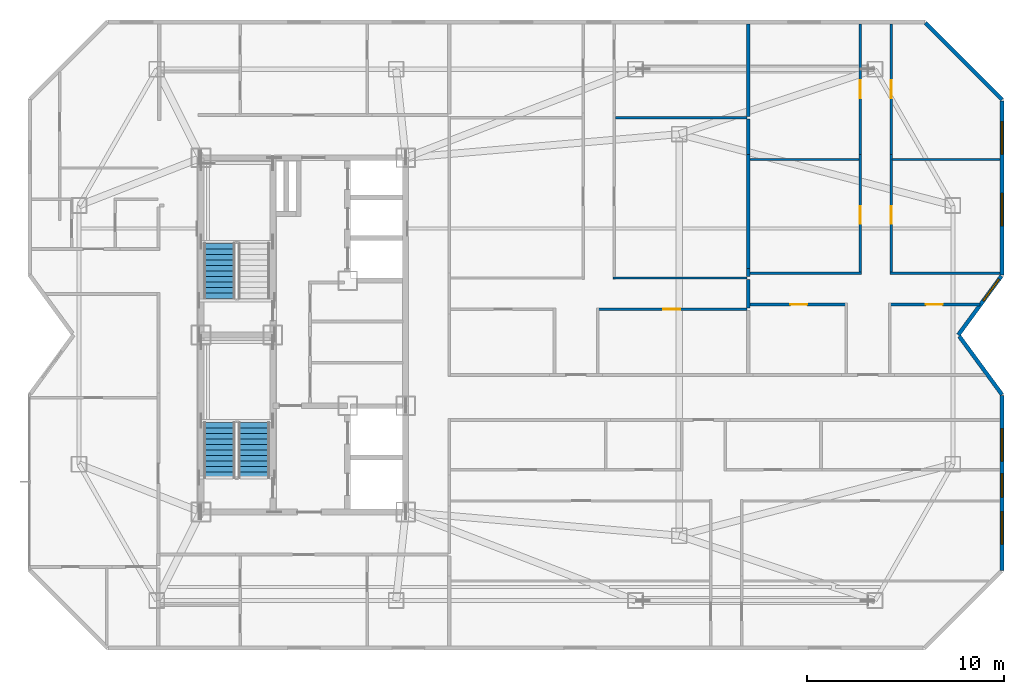
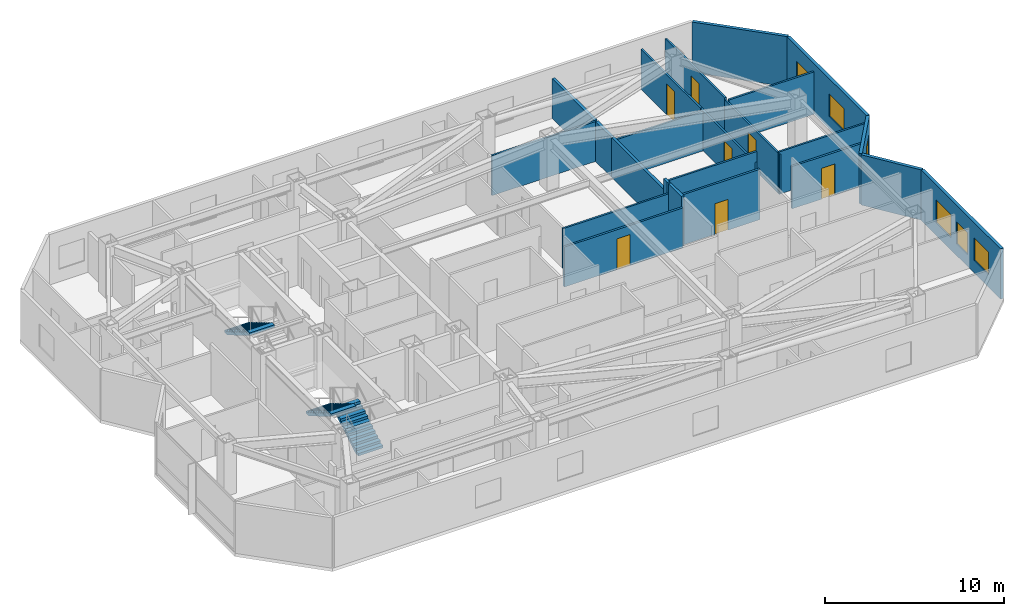
# One storey, part 12 of 14: 23 walls, 7 doors, 6 windows, 3 stair flights, 13 openings, 2 elements without a shape of their own.
"""IFC4 building model written with IfcOpenShell, lengths in metres."""

from ifc_helpers import new_model, si_unit, direction, frame, frame_2d, origin, place, context, subcontext, project, spatial, polyline, rectangle, outline, extrude, material, layer, layer_set, type_object, element, fill, aggregate, save


model = new_model("IFC4")

# Units and contexts
model_context = context("Model", 3, precision=1e-05, world=origin(), true_north=direction((0.0, 1.0)))
body_context = subcontext(model_context, "Body", "Model", "MODEL_VIEW")
ifc_project = project(units=[si_unit("LENGTHUNIT", "METRE"), si_unit("AREAUNIT", "SQUARE_METRE"), si_unit("VOLUMEUNIT", "CUBIC_METRE"), si_unit("PLANEANGLEUNIT", "RADIAN"), si_unit("MASSUNIT", "GRAM", prefix="KILO")], contexts=[model_context])

# Site, building, storey
site_placement = place(None, origin())
site = spatial("IfcSite", under=ifc_project, at=site_placement, CompositionType="ELEMENT")
building_placement = place(site_placement, origin())
building = spatial("IfcBuilding", under=site, at=building_placement, Name="Khamvora Tower", CompositionType="ELEMENT")
storey_placement = place(building_placement, frame((0.0, 0.0, 231.800048828125)))
storey = spatial("IfcBuildingStorey", under=building, at=storey_placement, Name="L59", CompositionType="ELEMENT", Elevation=231.800048828125)

# Walls
ifc_material_1 = material(Name="Acoustic Double-Stud Fire Wall", Category="gypsum")
ifc_layer_1 = layer(ifc_material_1, 0.179931640625)
ifc_layer_set_1 = layer_set([ifc_layer_1], Name="Acoustic Double-Stud Fire Wall")
wall_type_1 = type_object("IfcWallType", Name="WAL-CORR-180", PredefinedType="STANDARD", material=ifc_layer_set_1)
wall_1_placement = place(storey_placement, frame((56.804931640625, 30.824951171875, 0.0), z_axis=(0.0, 0.0, 1.0), x_axis=(0.0, -1.0, 0.0)))
element("IfcWall", 1, at=wall_1_placement, inside=storey, type_object=wall_type_1, Name="L59 interior partition wall 089", PredefinedType="STANDARD", context=body_context, shape_type="SweptSolid", body=[
    extrude(rectangle(XDim=1.449951171875, YDim=0.179931640625, at=frame_2d((0.72509765625, 0.0))), origin(), (0.0, 0.0, 1.0), 3.429931640625),
])
wall_2_placement = place(storey_placement, frame((56.804931640625, 31.3740234375, 0.0), z_axis=(0.0, 0.0, 1.0), x_axis=(0.0, -1.0, 0.0)))
element("IfcWall", 2, at=wall_2_placement, inside=storey, type_object=wall_type_1, Name="L59 interior partition wall 093", PredefinedType="STANDARD", context=body_context, shape_type="SweptSolid", body=[
    extrude(rectangle(XDim=0.4189453125, YDim=0.179931640625, at=frame_2d((0.20947265625, 0.0))), origin(), (0.0, 0.0, 1.0), 3.429931640625),
])
wall_3_placement = place(storey_placement, frame((56.804931640625, 37.159912109375, 0.0), z_axis=(0.0, 0.0, 1.0), x_axis=(0.0, -1.0, 0.0)))
element("IfcWall", 3, at=wall_3_placement, inside=storey, type_object=wall_type_1, Name="L59 interior partition wall 094", PredefinedType="STANDARD", context=body_context, shape_type="SweptSolid", body=[
    extrude(rectangle(XDim=5.785888671875, YDim=0.179931640625, at=frame_2d((2.89306640625, 0.0))), origin(), (0.0, 0.0, 1.0), 2.724853515625),
])
wall_4_placement = place(storey_placement, frame((56.804931640625, 38.9619140625, 0.0), z_axis=(0.0, 0.0, 1.0), x_axis=(0.0, -1.0, 0.0)))
element("IfcWall", 4, at=wall_4_placement, inside=storey, type_object=wall_type_1, Name="L59 interior partition wall 095", PredefinedType="STANDARD", context=body_context, shape_type="SweptSolid", body=[
    extrude(rectangle(XDim=1.802001953125, YDim=0.179931640625, at=frame_2d((0.90087890625, 0.0))), origin(), (0.0, 0.0, 1.0), 2.724853515625),
])
wall_5_placement = place(storey_placement, frame((56.804931640625, 43.80810546875, 0.0), z_axis=(0.0, 0.0, 1.0), x_axis=(0.0, -1.0, 0.0)))
element("IfcWall", 5, at=wall_5_placement, inside=storey, type_object=wall_type_1, Name="L59 interior partition wall 096", PredefinedType="STANDARD", context=body_context, shape_type="SweptSolid", body=[
    extrude(rectangle(XDim=4.716064453125, YDim=0.179931640625, at=frame_2d((2.35791015625, 0.0))), origin(), (0.0, 0.0, 1.0), 2.724853515625),
])
ifc_material_2 = material(Name="Precast concrete C40/50", Category="concrete")
ifc_layer_2 = layer(ifc_material_2, 0.199951171875)
ifc_layer_set_2 = layer_set([ifc_layer_2], Name="Precast concrete C40/50")
wall_type_2 = type_object("IfcWallType", Name="WAL-EXT-200", PredefinedType="STANDARD", material=ifc_layer_set_2)
wall_6_placement = place(storey_placement, frame((65.802001953125, 43.85693359375, 0.0), z_axis=(0.0, 0.0, 1.0), x_axis=(0.707106781187, -0.707106781187, 0.0)))
element("IfcWall", 6, at=wall_6_placement, inside=storey, type_object=wall_type_2, Name="L59 exterior facade wall 08.1", PredefinedType="STANDARD", context=body_context, shape_type="SweptSolid", body=[
    extrude(rectangle(XDim=5.512451171875, YDim=0.199951171875, at=frame_2d((2.75634765625, 0.0))), origin(), (0.0, 0.0, 1.0), 3.429931640625),
])

# Wall, openings, windows
wall_7_placement = place(storey_placement, frame((69.699951171875, 39.89599609375, 0.0), z_axis=(0.0, 0.0, 1.0), x_axis=(0.0, -1.0, 0.0)))
wall_7 = element("IfcWall", 7, at=wall_7_placement, inside=storey, type_object=wall_type_2, Name="L59 exterior facade wall 09.1", PredefinedType="STANDARD", context=body_context, shape_type="SweptSolid", body=[
    extrude(rectangle(XDim=8.863037109375, YDim=0.199951171875, at=frame_2d((4.431640625, 0.0))), origin(), (0.0, 0.0, 1.0), 3.429931640625),
])
opening_1_placement = place(wall_7_placement, frame((4.70703125, 0.0, 0.85009765625)))
opening_1 = element("IfcOpeningElement", 8, at=opening_1_placement, cuts=wall_7, Name="Opening WN-06", PredefinedType="OPENING", context=body_context, shape_type="SweptSolid", body=[
    extrude(rectangle(XDim=1.64990234375, YDim=1.550048828125, at=frame_2d((0.824951171875, 0.77490234375))), frame((0.0, 0.10986328125, 0.0), z_axis=(0.0, -1.0, 0.0), x_axis=(1.0, 0.0, 0.0)), (0.0, 0.0, 1.0), 0.219970703125),
])
opening_2_placement = place(wall_7_placement, frame((1.06005859375, 0.0, 0.85009765625)))
opening_2 = element("IfcOpeningElement", 9, at=opening_2_placement, cuts=wall_7, Name="Opening WN-06", PredefinedType="OPENING", context=body_context, shape_type="SweptSolid", body=[
    extrude(rectangle(XDim=1.64990234375, YDim=1.550048828125, at=frame_2d((0.824951171875, 0.77490234375))), frame((0.0, 0.10986328125, 0.0), z_axis=(0.0, -1.0, 0.0), x_axis=(1.0, 0.0, 0.0)), (0.0, 0.0, 1.0), 0.219970703125),
])
ifc_material_3 = material(Name="Low-E Laminated Double Glazing", Category="glass")
window_type_1 = type_object("IfcWindowType", Name="WIN-VIS-1650x1550", PartitioningType="SINGLE_PANEL", PredefinedType="WINDOW", material=ifc_material_3)
window_1_placement = place(opening_1_placement, origin())
window_1 = element("IfcWindow", 10, at=window_1_placement, inside=storey, type_object=window_type_1, Name="L59 vision window 09.1.01", OverallHeight=1.550048828125, OverallWidth=1.64990234375, PartitioningType="SINGLE_PANEL", PredefinedType="WINDOW", context=body_context, shape_type="SweptSolid", body=[
    extrude(rectangle(XDim=1.64990234375, YDim=1.550048828125, at=frame_2d((0.824951171875, 0.77490234375))), frame((0.0, 0.030029296875, 0.0), z_axis=(0.0, -1.0, 0.0), x_axis=(1.0, 0.0, 0.0)), (0.0, 0.0, 1.0), 0.06005859375),
])
fill(opening_1, window_1)
window_2_placement = place(opening_2_placement, origin())
window_2 = element("IfcWindow", 11, at=window_2_placement, inside=storey, type_object=window_type_1, Name="L59 vision window 09.1.02", OverallHeight=1.550048828125, OverallWidth=1.64990234375, PartitioningType="SINGLE_PANEL", PredefinedType="WINDOW", context=body_context, shape_type="SweptSolid", body=[
    extrude(rectangle(XDim=1.64990234375, YDim=1.550048828125, at=frame_2d((0.824951171875, 0.77490234375))), frame((0.0, 0.030029296875, 0.0), z_axis=(0.0, -1.0, 0.0), x_axis=(1.0, 0.0, 0.0)), (0.0, 0.0, 1.0), 0.06005859375),
])
fill(opening_2, window_2)

# Wall, opening, window
wall_8_placement = place(storey_placement, frame((69.669921875, 30.991943359375, 0.0), z_axis=(0.0, 0.0, 1.0), x_axis=(-0.591320870733, -0.806436375566, 0.0)))
wall_8 = element("IfcWall", 12, at=wall_8_placement, inside=storey, type_object=wall_type_2, Name="L59 exterior facade wall 10.1", PredefinedType="STANDARD", context=body_context, shape_type="SweptSolid", body=[
    extrude(rectangle(XDim=3.7099609375, YDim=0.199951171875, at=frame_2d((1.85498046875, 0.0))), origin(), (0.0, 0.0, 1.0), 3.429931640625),
])
opening_3_placement = place(wall_8_placement, frame((0.208984375, 0.0, 0.85009765625)))
opening_3 = element("IfcOpeningElement", 13, at=opening_3_placement, cuts=wall_8, Name="Opening WN-07", PredefinedType="OPENING", context=body_context, shape_type="SweptSolid", body=[
    extrude(rectangle(XDim=1.35009765625, YDim=1.5, at=frame_2d((0.675048828125, 0.75))), frame((0.0, 0.10986328125, 0.0), z_axis=(0.0, -1.0, 0.0), x_axis=(1.0, 0.0, 0.0)), (0.0, 0.0, 1.0), 0.219970703125),
])
window_type_2 = type_object("IfcWindowType", Name="WIN-VIS-1350x1500", PartitioningType="SINGLE_PANEL", PredefinedType="WINDOW", material=ifc_material_3)
window_3_placement = place(opening_3_placement, origin())
window_3 = element("IfcWindow", 14, at=window_3_placement, inside=storey, type_object=window_type_2, Name="L59 vision window 10.1.01", OverallHeight=1.5, OverallWidth=1.35009765625, PartitioningType="SINGLE_PANEL", PredefinedType="WINDOW", context=body_context, shape_type="SweptSolid", body=[
    extrude(rectangle(XDim=1.35009765625, YDim=1.5, at=frame_2d((0.675048828125, 0.75))), frame((0.0, 0.030029296875, 0.0), z_axis=(0.0, -1.0, 0.0), x_axis=(1.0, 0.0, 0.0)), (0.0, 0.0, 1.0), 0.06005859375),
])
fill(opening_3, window_3)

# Wall
wall_9_placement = place(storey_placement, frame((67.527099609375, 27.930908203125, 0.0), z_axis=(0.0, 0.0, 1.0), x_axis=(0.591248456881, -0.80648946815, 0.0)))
element("IfcWall", 15, at=wall_9_placement, inside=storey, type_object=wall_type_2, Name="L59 exterior facade wall 11.1", PredefinedType="STANDARD", context=body_context, shape_type="SweptSolid", body=[
    extrude(rectangle(XDim=3.675048828125, YDim=0.199951171875, at=frame_2d((1.83740234375, 0.0))), origin(), (0.0, 0.0, 1.0), 3.429931640625),
])

# Wall, openings, windows
wall_10_placement = place(storey_placement, frame((69.699951171875, 24.916015625, 0.0), z_axis=(0.0, 0.0, 1.0), x_axis=(0.0, -1.0, 0.0)))
wall_10 = element("IfcWall", 16, at=wall_10_placement, inside=storey, type_object=wall_type_2, Name="L59 exterior facade wall 12.1", PredefinedType="STANDARD", context=body_context, shape_type="SweptSolid", body=[
    extrude(rectangle(XDim=8.875, YDim=0.199951171875, at=frame_2d((4.4375, 0.0))), origin(), (0.0, 0.0, 1.0), 3.429931640625),
])
opening_4_placement = place(wall_10_placement, frame((1.677001953125, 0.0, 0.85009765625)))
opening_4 = element("IfcOpeningElement", 17, at=opening_4_placement, cuts=wall_10, Name="Opening WN-06", PredefinedType="OPENING", context=body_context, shape_type="SweptSolid", body=[
    extrude(rectangle(XDim=1.64990234375, YDim=1.550048828125, at=frame_2d((0.824951171875, 0.77490234375))), frame((0.0, 0.10986328125, 0.0), z_axis=(0.0, -1.0, 0.0), x_axis=(1.0, 0.0, 0.0)), (0.0, 0.0, 1.0), 0.219970703125),
])
opening_5_placement = place(wall_10_placement, frame((3.962890625, 0.0, 0.800048828125)))
opening_5 = element("IfcOpeningElement", 18, at=opening_5_placement, cuts=wall_10, Name="Opening WN-03", PredefinedType="OPENING", context=body_context, shape_type="SweptSolid", body=[
    extrude(rectangle(XDim=1.199951171875, YDim=1.5, at=frame_2d((0.60009765625, 0.75))), frame((0.0, 0.10986328125, 0.0), z_axis=(0.0, -1.0, 0.0), x_axis=(1.0, 0.0, 0.0)), (0.0, 0.0, 1.0), 0.219970703125),
])
opening_6_placement = place(wall_10_placement, frame((5.89697265625, 0.0, 0.85009765625)))
opening_6 = element("IfcOpeningElement", 19, at=opening_6_placement, cuts=wall_10, Name="Opening WN-06", PredefinedType="OPENING", context=body_context, shape_type="SweptSolid", body=[
    extrude(rectangle(XDim=1.64990234375, YDim=1.550048828125, at=frame_2d((0.824951171875, 0.77490234375))), frame((0.0, 0.10986328125, 0.0), z_axis=(0.0, -1.0, 0.0), x_axis=(1.0, 0.0, 0.0)), (0.0, 0.0, 1.0), 0.219970703125),
])
window_type_3 = type_object("IfcWindowType", Name="WIN-VIS-1200x1500", PartitioningType="SINGLE_PANEL", PredefinedType="WINDOW", material=ifc_material_3)
window_4_placement = place(opening_5_placement, origin())
window_4 = element("IfcWindow", 20, at=window_4_placement, inside=storey, type_object=window_type_3, Name="L59 vision window 12.1.02", OverallHeight=1.5, OverallWidth=1.199951171875, PartitioningType="SINGLE_PANEL", PredefinedType="WINDOW", context=body_context, shape_type="SweptSolid", body=[
    extrude(rectangle(XDim=1.199951171875, YDim=1.5, at=frame_2d((0.60009765625, 0.75))), frame((0.0, 0.030029296875, 0.0), z_axis=(0.0, -1.0, 0.0), x_axis=(1.0, 0.0, 0.0)), (0.0, 0.0, 1.0), 0.06005859375),
])
fill(opening_5, window_4)
window_5_placement = place(opening_4_placement, origin())
window_5 = element("IfcWindow", 21, at=window_5_placement, inside=storey, type_object=window_type_1, Name="L59 vision window 12.1.01", OverallHeight=1.550048828125, OverallWidth=1.64990234375, PartitioningType="SINGLE_PANEL", PredefinedType="WINDOW", context=body_context, shape_type="SweptSolid", body=[
    extrude(rectangle(XDim=1.64990234375, YDim=1.550048828125, at=frame_2d((0.824951171875, 0.77490234375))), frame((0.0, 0.030029296875, 0.0), z_axis=(0.0, -1.0, 0.0), x_axis=(1.0, 0.0, 0.0)), (0.0, 0.0, 1.0), 0.06005859375),
])
fill(opening_4, window_5)
window_6_placement = place(opening_6_placement, origin())
window_6 = element("IfcWindow", 22, at=window_6_placement, inside=storey, type_object=window_type_1, Name="L59 vision window 12.1.03", OverallHeight=1.550048828125, OverallWidth=1.64990234375, PartitioningType="SINGLE_PANEL", PredefinedType="WINDOW", context=body_context, shape_type="SweptSolid", body=[
    extrude(rectangle(XDim=1.64990234375, YDim=1.550048828125, at=frame_2d((0.824951171875, 0.77490234375))), frame((0.0, 0.030029296875, 0.0), z_axis=(0.0, -1.0, 0.0), x_axis=(1.0, 0.0, 0.0)), (0.0, 0.0, 1.0), 0.06005859375),
])
fill(opening_6, window_6)

# Walls
ifc_material_4 = material(Name="Gypsum Plasterboard Partition", Category="gypsum")
ifc_layer_3 = layer(ifc_material_4, 0.1201171875)
ifc_layer_set_3 = layer_set([ifc_layer_3], Name="Gypsum Plasterboard Partition")
wall_type_3 = type_object("IfcWallType", Name="WAL-PART-120", PredefinedType="PARTITIONING", material=ifc_layer_set_3)
wall_11_placement = place(storey_placement, frame((49.929931640625, 30.889892578125, 0.0), z_axis=(0.0, 0.0, 1.0), x_axis=(1.0, 0.0, 0.0)))
element("IfcWall", 23, at=wall_11_placement, inside=storey, type_object=wall_type_3, Name="L59 interior partition wall 087", PredefinedType="PARTITIONING", context=body_context, shape_type="SweptSolid", body=[
    extrude(rectangle(XDim=6.81005859375, YDim=0.1201171875, at=frame_2d((3.405029296875, 0.0))), origin(), (0.0, 0.0, 1.0), 2.724853515625),
])
wall_12_placement = place(storey_placement, frame((50.049072265625, 39.027099609375, 0.0), z_axis=(0.0, 0.0, 1.0), x_axis=(1.0, 0.0, 0.0)))
element("IfcWall", 24, at=wall_12_placement, inside=storey, type_object=wall_type_3, Name="L59 interior partition wall 092", PredefinedType="PARTITIONING", context=body_context, shape_type="SweptSolid", body=[
    extrude(rectangle(XDim=6.69091796875, YDim=0.1201171875, at=frame_2d((3.345458984375, 0.0))), origin(), (0.0, 0.0, 1.0), 2.724853515625),
])
wall_13_placement = place(storey_placement, frame((56.886962890625, 31.125, 0.0), z_axis=(0.0, 0.0, 1.0), x_axis=(1.0, 0.0, 0.0)))
element("IfcWall", 25, at=wall_13_placement, inside=storey, type_object=wall_type_3, Name="L59 interior partition wall 101", PredefinedType="PARTITIONING", context=body_context, shape_type="SweptSolid", body=[
    extrude(rectangle(XDim=5.673095703125, YDim=0.1201171875, at=frame_2d((2.83642578125, 0.0))), origin(), (0.0, 0.0, 1.0), 3.429931640625),
])

# Wall, opening, door
wall_14_placement = place(storey_placement, frame((62.4951171875, 31.06005859375, 0.0), z_axis=(0.0, 0.0, 1.0), x_axis=(0.0, 1.0, 0.0)))
wall_14 = element("IfcWall", 26, at=wall_14_placement, inside=storey, type_object=wall_type_3, Name="L59 interior partition wall 102", PredefinedType="PARTITIONING", context=body_context, shape_type="SweptSolid", body=[
    extrude(rectangle(XDim=6.099853515625, YDim=0.1201171875, at=frame_2d((3.0498046875, 0.0))), origin(), (0.0, 0.0, 1.0), 2.724853515625),
])
opening_7_placement = place(wall_14_placement, frame((2.5791015625, 0.0, 0.0)))
opening_7 = element("IfcOpeningElement", 27, at=opening_7_placement, cuts=wall_14, Name="Opening D-RM1", PredefinedType="OPENING", context=body_context, shape_type="SweptSolid", body=[
    extrude(rectangle(XDim=0.89990234375, YDim=2.10009765625, at=frame_2d((0.449951171875, 1.050048828125))), frame((0.0, 0.070068359375, 0.0), z_axis=(0.0, -1.0, 0.0), x_axis=(1.0, 0.0, 0.0)), (0.0, 0.0, 1.0), 0.14013671875),
])
ifc_material_5 = material(Name="Powder-Coated Steel and Hardwood Leaf", Category="steel")
door_type_1 = type_object("IfcDoorType", Name="DOR-ROOM-900", OperationType="NOTDEFINED", PredefinedType="DOOR", material=ifc_material_5)
door_1_placement = place(opening_7_placement, origin())
door_1 = element("IfcDoor", 28, at=door_1_placement, inside=storey, type_object=door_type_1, Name="L59 interior door 59EB2H-59EB2L", OperationType="SINGLE_SWING_LEFT", OverallHeight=2.10009765625, OverallWidth=0.89990234375, PredefinedType="DOOR", context=body_context, shape_type="SweptSolid", body=[
    extrude(rectangle(XDim=0.89990234375, YDim=2.10009765625, at=frame_2d((0.449951171875, 1.050048828125))), frame((0.0, 0.02490234375, 0.0), z_axis=(0.0, -1.0, 0.0), x_axis=(1.0, 0.0, 0.0)), (0.0, 0.0, 1.0), 0.050048828125),
])
fill(opening_7, door_1)

wall_15_placement = place(storey_placement, frame((62.4951171875, 37.159912109375, 0.0), z_axis=(0.0, 0.0, 1.0), x_axis=(0.0, 1.0, 0.0)))
wall_15 = element("IfcWall", 29, at=wall_15_placement, inside=storey, type_object=wall_type_3, Name="L59 interior partition wall 103", PredefinedType="PARTITIONING", context=body_context, shape_type="SweptSolid", body=[
    extrude(rectangle(XDim=6.648193359375, YDim=0.1201171875, at=frame_2d((3.32421875, 0.0))), origin(), (0.0, 0.0, 1.0), 2.724853515625),
])
opening_8_placement = place(wall_15_placement, frame((2.8740234375, 0.0, 0.0)))
opening_8 = element("IfcOpeningElement", 30, at=opening_8_placement, cuts=wall_15, Name="Opening D-RM1", PredefinedType="OPENING", context=body_context, shape_type="SweptSolid", body=[
    extrude(rectangle(XDim=0.89990234375, YDim=2.10009765625, at=frame_2d((0.449951171875, 1.050048828125))), frame((0.0, 0.070068359375, 0.0), z_axis=(0.0, -1.0, 0.0), x_axis=(1.0, 0.0, 0.0)), (0.0, 0.0, 1.0), 0.14013671875),
])
door_2_placement = place(opening_8_placement, origin())
door_2 = element("IfcDoor", 31, at=door_2_placement, inside=storey, type_object=door_type_1, Name="L59 interior door 59EB2H-59EB2R2", OperationType="SINGLE_SWING_LEFT", OverallHeight=2.10009765625, OverallWidth=0.89990234375, PredefinedType="DOOR", context=body_context, shape_type="SweptSolid", body=[
    extrude(rectangle(XDim=0.89990234375, YDim=2.10009765625, at=frame_2d((0.449951171875, 1.050048828125))), frame((0.0, 0.02490234375, 0.0), z_axis=(0.0, -1.0, 0.0), x_axis=(1.0, 0.0, 0.0)), (0.0, 0.0, 1.0), 0.050048828125),
])
fill(opening_8, door_2)

wall_16_placement = place(storey_placement, frame((64.06494140625, 37.159912109375, 0.0), z_axis=(0.0, 0.0, 1.0), x_axis=(0.0, -1.0, 0.0)))
wall_16 = element("IfcWall", 32, at=wall_16_placement, inside=storey, type_object=wall_type_3, Name="L59 interior partition wall 104", PredefinedType="PARTITIONING", context=body_context, shape_type="SweptSolid", body=[
    extrude(rectangle(XDim=6.099853515625, YDim=0.1201171875, at=frame_2d((3.0498046875, 0.0))), origin(), (0.0, 0.0, 1.0), 2.724853515625),
])
opening_9_placement = place(wall_16_placement, frame((2.62109375, 0.0, 0.0)))
opening_9 = element("IfcOpeningElement", 33, at=opening_9_placement, cuts=wall_16, Name="Opening D-RM1", PredefinedType="OPENING", context=body_context, shape_type="SweptSolid", body=[
    extrude(rectangle(XDim=0.89990234375, YDim=2.10009765625, at=frame_2d((0.449951171875, 1.050048828125))), frame((0.0, 0.070068359375, 0.0), z_axis=(0.0, -1.0, 0.0), x_axis=(1.0, 0.0, 0.0)), (0.0, 0.0, 1.0), 0.14013671875),
])
door_3_placement = place(opening_9_placement, origin())
door_3 = element("IfcDoor", 34, at=door_3_placement, inside=storey, type_object=door_type_1, Name="L59 interior door 59EB2H-59EB2R3", OperationType="SINGLE_SWING_LEFT", OverallHeight=2.10009765625, OverallWidth=0.89990234375, PredefinedType="DOOR", context=body_context, shape_type="SweptSolid", body=[
    extrude(rectangle(XDim=0.89990234375, YDim=2.10009765625, at=frame_2d((0.449951171875, 1.050048828125))), frame((0.0, 0.02490234375, 0.0), z_axis=(0.0, -1.0, 0.0), x_axis=(1.0, 0.0, 0.0)), (0.0, 0.0, 1.0), 0.050048828125),
])
fill(opening_9, door_3)

# Wall
wall_17_placement = place(storey_placement, frame((64.0, 31.125, 0.0), z_axis=(0.0, 0.0, 1.0), x_axis=(1.0, 0.0, 0.0)))
element("IfcWall", 35, at=wall_17_placement, inside=storey, type_object=wall_type_3, Name="L59 interior partition wall 105", PredefinedType="PARTITIONING", context=body_context, shape_type="SweptSolid", body=[
    extrude(rectangle(XDim=5.60791015625, YDim=0.1201171875, at=frame_2d((2.803955078125, 0.0))), origin(), (0.0, 0.0, 1.0), 2.886962890625),
])

# Wall, opening, door
wall_18_placement = place(storey_placement, frame((64.06494140625, 43.80810546875, 0.0), z_axis=(0.0, 0.0, 1.0), x_axis=(0.0, -1.0, 0.0)))
wall_18 = element("IfcWall", 36, at=wall_18_placement, inside=storey, type_object=wall_type_3, Name="L59 interior partition wall 106", PredefinedType="PARTITIONING", context=body_context, shape_type="SweptSolid", body=[
    extrude(rectangle(XDim=6.648193359375, YDim=0.1201171875, at=frame_2d((3.32421875, 0.0))), origin(), (0.0, 0.0, 1.0), 2.886962890625),
])
opening_10_placement = place(wall_18_placement, frame((2.8740234375, 0.0, 0.0)))
opening_10 = element("IfcOpeningElement", 37, at=opening_10_placement, cuts=wall_18, Name="Opening D-RM1", PredefinedType="OPENING", context=body_context, shape_type="SweptSolid", body=[
    extrude(rectangle(XDim=0.89990234375, YDim=2.10009765625, at=frame_2d((0.449951171875, 1.050048828125))), frame((0.0, 0.070068359375, 0.0), z_axis=(0.0, -1.0, 0.0), x_axis=(1.0, 0.0, 0.0)), (0.0, 0.0, 1.0), 0.14013671875),
])
door_4_placement = place(opening_10_placement, origin())
door_4 = element("IfcDoor", 38, at=door_4_placement, inside=storey, type_object=door_type_1, Name="L59 interior door 59EB2H-59EB2R4", OperationType="SINGLE_SWING_RIGHT", OverallHeight=2.10009765625, OverallWidth=0.89990234375, PredefinedType="DOOR", context=body_context, shape_type="SweptSolid", body=[
    extrude(rectangle(XDim=0.89990234375, YDim=2.10009765625, at=frame_2d((0.449951171875, 1.050048828125))), frame((0.0, 0.02490234375, 0.0), z_axis=(0.0, -1.0, 0.0), x_axis=(1.0, 0.0, 0.0)), (0.0, 0.0, 1.0), 0.050048828125),
])
fill(opening_10, door_4)

# Walls
wall_19_placement = place(storey_placement, frame((56.886962890625, 36.910888671875, 0.0), z_axis=(0.0, 0.0, 1.0), x_axis=(1.0, 0.0, 0.0)))
element("IfcWall", 39, at=wall_19_placement, inside=storey, type_object=wall_type_3, Name="L59 interior partition wall 107", PredefinedType="PARTITIONING", context=body_context, shape_type="SweptSolid", body=[
    extrude(rectangle(XDim=5.553955078125, YDim=0.1201171875, at=frame_2d((2.77685546875, 0.0))), origin(), (0.0, 0.0, 1.0), 2.724853515625),
])
wall_20_placement = place(storey_placement, frame((64.118896484375, 36.910888671875, 0.0), z_axis=(0.0, 0.0, 1.0), x_axis=(1.0, 0.0, 0.0)))
element("IfcWall", 40, at=wall_20_placement, inside=storey, type_object=wall_type_3, Name="L59 interior partition wall 108", PredefinedType="PARTITIONING", context=body_context, shape_type="SweptSolid", body=[
    extrude(rectangle(XDim=5.489013671875, YDim=0.1201171875, at=frame_2d((2.74462890625, 0.0))), origin(), (0.0, 0.0, 1.0), 2.886962890625),
])

# Wall, opening, door
ifc_material_6 = material(Name="Moisture-Resistant Plasterboard Partition", Category="gypsum")
ifc_layer_4 = layer(ifc_material_6, 0.135009765625)
ifc_layer_set_4 = layer_set([ifc_layer_4], Name="Moisture-Resistant Plasterboard Partition")
wall_type_4 = type_object("IfcWallType", Name="WAL-WET-135", PredefinedType="PARTITIONING", material=ifc_layer_set_4)
wall_21_placement = place(storey_placement, frame((56.739990234375, 29.31005859375, 0.0), z_axis=(0.0, 0.0, 1.0), x_axis=(-1.0, 0.0, 0.0)))
wall_21 = element("IfcWall", 41, at=wall_21_placement, inside=storey, type_object=wall_type_4, Name="L59 interior partition wall 081", PredefinedType="PARTITIONING", context=body_context, shape_type="SweptSolid", body=[
    extrude(rectangle(XDim=7.64501953125, YDim=0.135009765625, at=frame_2d((3.822509765625, 0.0))), origin(), (0.0, 0.0, 1.0), 2.724853515625),
])
opening_11_placement = place(wall_21_placement, frame((3.39697265625, 0.0, 0.0)))
opening_11 = element("IfcOpeningElement", 42, at=opening_11_placement, cuts=wall_21, Name="Opening D-RM2", PredefinedType="OPENING", context=body_context, shape_type="SweptSolid", body=[
    extrude(rectangle(XDim=0.85009765625, YDim=2.10009765625, at=frame_2d((0.425048828125, 1.050048828125))), frame((0.0, 0.077392578125, 0.0), z_axis=(0.0, -1.0, 0.0), x_axis=(1.0, 0.0, 0.0)), (0.0, 0.0, 1.0), 0.155029296875),
])
door_type_2 = type_object("IfcDoorType", Name="DOR-ROOM-850", OperationType="NOTDEFINED", PredefinedType="DOOR", material=ifc_material_5)
door_5_placement = place(opening_11_placement, origin())
door_5 = element("IfcDoor", 43, at=door_5_placement, inside=storey, type_object=door_type_2, Name="L59 interior door 59EB1H-59EB1K", OperationType="SINGLE_SWING_LEFT", OverallHeight=2.10009765625, OverallWidth=0.85009765625, PredefinedType="DOOR", context=body_context, shape_type="SweptSolid", body=[
    extrude(rectangle(XDim=0.85009765625, YDim=2.10009765625, at=frame_2d((0.425048828125, 1.050048828125))), frame((0.0, 0.02490234375, 0.0), z_axis=(0.0, -1.0, 0.0), x_axis=(1.0, 0.0, 0.0)), (0.0, 0.0, 1.0), 0.050048828125),
])
fill(opening_11, door_5)

wall_22_placement = place(storey_placement, frame((68.580078125, 29.544921875, 0.0), z_axis=(0.0, 0.0, 1.0), x_axis=(-1.0, 0.0, 0.0)))
wall_22 = element("IfcWall", 44, at=wall_22_placement, inside=storey, type_object=wall_type_4, Name="L59 interior partition wall 098", PredefinedType="PARTITIONING", context=body_context, shape_type="SweptSolid", body=[
    extrude(rectangle(XDim=4.656005859375, YDim=0.135009765625, at=frame_2d((2.328125, 0.0))), origin(), (0.0, 0.0, 1.0), 2.886962890625),
])
opening_12_placement = place(wall_22_placement, frame((1.903076171875, 0.0, 0.0)))
opening_12 = element("IfcOpeningElement", 45, at=opening_12_placement, cuts=wall_22, Name="Opening D-WC1", PredefinedType="OPENING", context=body_context, shape_type="SweptSolid", body=[
    extrude(rectangle(XDim=0.85009765625, YDim=2.10009765625, at=frame_2d((0.425048828125, 1.050048828125))), frame((0.0, 0.077392578125, 0.0), z_axis=(0.0, -1.0, 0.0), x_axis=(1.0, 0.0, 0.0)), (0.0, 0.0, 1.0), 0.155029296875),
])
door_type_3 = type_object("IfcDoorType", Name="DOR-WET-850", OperationType="NOTDEFINED", PredefinedType="DOOR", material=ifc_material_5)
door_6_placement = place(opening_12_placement, origin())
door_6 = element("IfcDoor", 46, at=door_6_placement, inside=storey, type_object=door_type_3, Name="L59 interior door 59EB2H-59EB2B", OperationType="SINGLE_SWING_LEFT", OverallHeight=2.10009765625, OverallWidth=0.85009765625, PredefinedType="DOOR", context=body_context, shape_type="SweptSolid", body=[
    extrude(rectangle(XDim=0.85009765625, YDim=2.10009765625, at=frame_2d((0.425048828125, 1.050048828125))), frame((0.0, 0.02490234375, 0.0), z_axis=(0.0, -1.0, 0.0), x_axis=(1.0, 0.0, 0.0)), (0.0, 0.0, 1.0), 0.050048828125),
])
fill(opening_12, door_6)

wall_23_placement = place(storey_placement, frame((61.85400390625, 29.544921875, 0.0), z_axis=(0.0, 0.0, 1.0), x_axis=(-1.0, 0.0, 0.0)))
wall_23 = element("IfcWall", 47, at=wall_23_placement, inside=storey, type_object=wall_type_4, Name="L59 interior partition wall 100", PredefinedType="PARTITIONING", context=body_context, shape_type="SweptSolid", body=[
    extrude(rectangle(XDim=4.967041015625, YDim=0.135009765625, at=frame_2d((2.4833984375, 0.0))), origin(), (0.0, 0.0, 1.0), 3.429931640625),
])
opening_13_placement = place(wall_23_placement, frame((2.05810546875, 0.0, 0.0)))
opening_13 = element("IfcOpeningElement", 48, at=opening_13_placement, cuts=wall_23, Name="Opening D-RM2", PredefinedType="OPENING", context=body_context, shape_type="SweptSolid", body=[
    extrude(rectangle(XDim=0.85009765625, YDim=2.10009765625, at=frame_2d((0.425048828125, 1.050048828125))), frame((0.0, 0.077392578125, 0.0), z_axis=(0.0, -1.0, 0.0), x_axis=(1.0, 0.0, 0.0)), (0.0, 0.0, 1.0), 0.155029296875),
])
door_7_placement = place(opening_13_placement, origin())
door_7 = element("IfcDoor", 49, at=door_7_placement, inside=storey, type_object=door_type_2, Name="L59 interior door 59EB2H-59EB2K", OperationType="SINGLE_SWING_RIGHT", OverallHeight=2.10009765625, OverallWidth=0.85009765625, PredefinedType="DOOR", context=body_context, shape_type="SweptSolid", body=[
    extrude(rectangle(XDim=0.85009765625, YDim=2.10009765625, at=frame_2d((0.425048828125, 1.050048828125))), frame((0.0, 0.02490234375, 0.0), z_axis=(0.0, -1.0, 0.0), x_axis=(1.0, 0.0, 0.0)), (0.0, 0.0, 1.0), 0.050048828125),
])
fill(opening_13, door_7)

# Stair, stair flights
ifc_material_7 = material(Name="Concrete C40/50", Category="concrete")
stair_type_1 = type_object("IfcStairType", Name="STR-ST-01", PredefinedType="HALF_TURN_STAIR", material=ifc_material_7)
stair_1_placement = place(storey_placement, origin())
stair_1 = element("IfcStair", 50, at=stair_1_placement, inside=storey, type_object=stair_type_1, Name="L59 South Tower Exit Stair ST-01", PredefinedType="HALF_TURN_STAIR")
stair_flight_type_1 = type_object("IfcStairFlightType", Name="STF-ST-01", PredefinedType="STRAIGHT", material=ifc_material_7)
stair_flight_1_placement = place(storey_placement, frame((31.699951171875, 20.75, 0.0), z_axis=(0.0, 0.0, 1.0), x_axis=(0.0, 1.0, 0.0)))
stair_flight_1 = element("IfcStairFlight", 51, at=stair_flight_1_placement, type_object=stair_flight_type_1, Name="ST-01 flight 1", NumberOfRisers=11, NumberOfTreads=10, PredefinedType="STRAIGHT", RiserHeight=0.165909091, TreadLength=0.28, context=body_context, shape_type="SweptSolid", body=[
    extrude(outline(polyline([(0.0, 0.0), (0.0, 0.166015625), (0.280029296875, 0.166015625), (0.280029296875, 0.331787109375), (0.56005859375, 0.331787109375), (0.56005859375, 0.497802734375), (0.840087890625, 0.497802734375), (0.840087890625, 0.66357421875), (1.1201171875, 0.66357421875), (1.1201171875, 0.82958984375), (1.39990234375, 0.82958984375), (1.39990234375, 0.995361328125), (1.679931640625, 0.995361328125), (1.679931640625, 1.161376953125), (1.9599609375, 1.161376953125), (1.9599609375, 1.327392578125), (2.239990234375, 1.327392578125), (2.239990234375, 1.4931640625), (2.52001953125, 1.4931640625), (2.52001953125, 1.6591796875), (2.800048828125, 1.6591796875), (2.800048828125, 1.824951171875), (2.800048828125, 1.48486328125), (0.2939453125, 0.0), (0.0, 0.0)])), frame((0.0, 0.800048828125, 0.0), z_axis=(0.0, -1.0, 0.0), x_axis=(1.0, 0.0, 0.0)), (0.0, 0.0, 1.0), 1.60009765625),
])
stair_flight_2_placement = place(storey_placement, frame((29.949951171875, 23.550048828125, 1.824951171875), z_axis=(0.0, 0.0, 1.0), x_axis=(0.0, -1.0, 0.0)))
stair_flight_2 = element("IfcStairFlight", 52, at=stair_flight_2_placement, type_object=stair_flight_type_1, Name="ST-01 flight 2", NumberOfRisers=11, NumberOfTreads=10, PredefinedType="STRAIGHT", RiserHeight=0.165909091, TreadLength=0.28, context=body_context, shape_type="SweptSolid", body=[
    extrude(outline(polyline([(0.0, 0.0), (0.0, 0.166015625), (0.280029296875, 0.166015625), (0.280029296875, 0.331787109375), (0.56005859375, 0.331787109375), (0.56005859375, 0.497802734375), (0.840087890625, 0.497802734375), (0.840087890625, 0.66357421875), (1.1201171875, 0.66357421875), (1.1201171875, 0.82958984375), (1.39990234375, 0.82958984375), (1.39990234375, 0.995361328125), (1.679931640625, 0.995361328125), (1.679931640625, 1.161376953125), (1.9599609375, 1.161376953125), (1.9599609375, 1.327392578125), (2.239990234375, 1.327392578125), (2.239990234375, 1.4931640625), (2.52001953125, 1.4931640625), (2.52001953125, 1.6591796875), (2.800048828125, 1.6591796875), (2.800048828125, 1.824951171875), (2.800048828125, 1.48486328125), (0.2939453125, 0.0), (0.0, 0.0)])), frame((0.0, 0.800048828125, 0.0), z_axis=(0.0, -1.0, 0.0), x_axis=(1.0, 0.0, 0.0)), (0.0, 0.0, 1.0), 1.60009765625),
])
aggregate(stair_1, [stair_flight_1, stair_flight_2])

# Stair, stair flight
stair_type_2 = type_object("IfcStairType", Name="STR-ST-02", PredefinedType="HALF_TURN_STAIR", material=ifc_material_7)
stair_2_placement = place(storey_placement, origin())
stair_2 = element("IfcStair", 53, at=stair_2_placement, inside=storey, type_object=stair_type_2, Name="L59 North Tower Exit Stair ST-02", PredefinedType="HALF_TURN_STAIR")
stair_flight_type_2 = type_object("IfcStairFlightType", Name="STF-ST-02", PredefinedType="STRAIGHT", material=ifc_material_7)
stair_flight_3_placement = place(storey_placement, frame((29.949951171875, 32.64990234375, 1.824951171875), z_axis=(0.0, 0.0, 1.0), x_axis=(0.0, -1.0, 0.0)))
stair_flight_3 = element("IfcStairFlight", 54, at=stair_flight_3_placement, type_object=stair_flight_type_2, Name="ST-02 flight 2", NumberOfRisers=11, NumberOfTreads=10, PredefinedType="STRAIGHT", RiserHeight=0.165909091, TreadLength=0.28, context=body_context, shape_type="SweptSolid", body=[
    extrude(outline(polyline([(0.0, 0.0), (0.0, 0.166015625), (0.280029296875, 0.166015625), (0.280029296875, 0.331787109375), (0.56005859375, 0.331787109375), (0.56005859375, 0.497802734375), (0.840087890625, 0.497802734375), (0.840087890625, 0.66357421875), (1.1201171875, 0.66357421875), (1.1201171875, 0.82958984375), (1.39990234375, 0.82958984375), (1.39990234375, 0.995361328125), (1.679931640625, 0.995361328125), (1.679931640625, 1.161376953125), (1.9599609375, 1.161376953125), (1.9599609375, 1.327392578125), (2.239990234375, 1.327392578125), (2.239990234375, 1.4931640625), (2.52001953125, 1.4931640625), (2.52001953125, 1.6591796875), (2.800048828125, 1.6591796875), (2.800048828125, 1.824951171875), (2.800048828125, 1.48486328125), (0.2939453125, 0.0), (0.0, 0.0)])), frame((0.0, 0.800048828125, 0.0), z_axis=(0.0, -1.0, 0.0), x_axis=(1.0, 0.0, 0.0)), (0.0, 0.0, 1.0), 1.60009765625),
])
aggregate(stair_2, [stair_flight_3])

save(model, "model.ifc")
